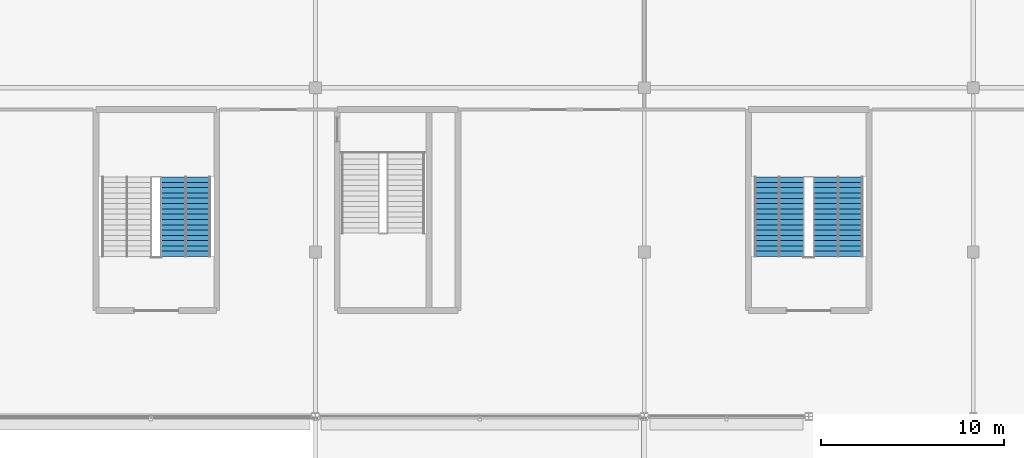
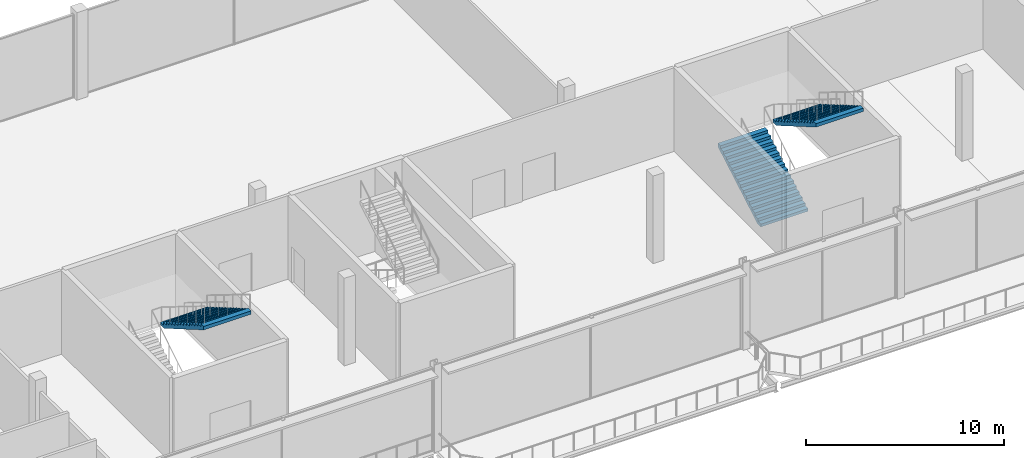
# One storey, part 87 of 113: 3 stair flights, 2 elements without a shape of their own.
"""IFC4 building model written with IfcOpenShell, lengths in metres."""

from ifc_helpers import new_model, si_unit, direction, frame, origin, place, context, subcontext, project, spatial, polygons, material, type_object, element, aggregate, save


model = new_model("IFC4")

# Units and contexts
model_context = context("Model", 3, precision=1e-05, world=origin(), true_north=direction((0.0, 1.0)))
body_context = subcontext(model_context, "Body", "Model", "MODEL_VIEW")
ifc_project = project(units=[si_unit("LENGTHUNIT", "METRE"), si_unit("AREAUNIT", "SQUARE_METRE"), si_unit("VOLUMEUNIT", "CUBIC_METRE"), si_unit("PLANEANGLEUNIT", "RADIAN"), si_unit("MASSUNIT", "GRAM", prefix="KILO")], contexts=[model_context])

# Site, building, storey
site_placement = place(None, origin())
site = spatial("IfcSite", under=ifc_project, at=site_placement, CompositionType="ELEMENT")
building_placement = place(site_placement, origin())
building = spatial("IfcBuilding", under=site, at=building_placement, Name="Kisiwana Market Hall", CompositionType="ELEMENT")
storey_placement = place(building_placement, frame((0.0, 0.0, 6.0)))
storey = spatial("IfcBuildingStorey", under=building, at=storey_placement, Name="L01", CompositionType="ELEMENT", Elevation=6.0)

# Stair, stair flight
ifc_material_1 = material(Name="Concrete C32/40", Category="concrete")
stair_type = type_object("IfcStairType", Name="ST-ESC-5400", PredefinedType="TWO_STRAIGHT_RUN_STAIR", material=ifc_material_1)
stair_1_placement = place(storey_placement, origin())
stair_1 = element("IfcStair", 1, at=stair_1_placement, inside=storey, type_object=stair_type, Name="Escape stair ST-N3-L01", PredefinedType="TWO_STRAIGHT_RUN_STAIR")
ifc_material_2 = material(Name="Concrete C32/40", Category="concrete")
stair_flight_type = type_object("IfcStairFlightType", Name="SF-ESC-5400", PredefinedType="STRAIGHT", material=ifc_material_2)
stair_flight_1_placement = place(storey_placement, frame((55.909912109375, 97.110107421875, 2.699951171875), z_axis=(0.0, 0.0, 1.0), x_axis=(0.0, -1.0, 0.0)))
stair_flight_1 = element("IfcStairFlight", 2, at=stair_flight_1_placement, type_object=stair_flight_type, Name="ST-N3-L01 flight 2", NumberOfRisers=16, NumberOfTreads=15, PredefinedType="STRAIGHT", RiserHeight=0.16875, TreadLength=0.29, context=body_context, shape_type="Tessellation", body=[
    polygons([(0.0, -1.380127, 0.0), (0.0, -0.690125, 0.0), (0.0, -0.000122, 0.0), (0.0, 0.68988, 0.0), (0.0, 1.379883, 0.0), (0.0, -1.380127, 0.168701), (0.0, -0.690125, 0.168701), (0.0, -0.000122, 0.168701), (0.0, 0.68988, 0.168701), (0.0, 1.379883, 0.168701), (0.290039, -1.380127, 0.168701), (0.290039, -0.690125, 0.168701), (0.290039, -0.000122, 0.168701), (0.290039, 0.68988, 0.168701), (0.290039, 1.379883, 0.168701), (0.290039, -1.380127, 0.337402), (0.290039, -0.690125, 0.337402), (0.290039, -0.000122, 0.337402), (0.290039, 0.68988, 0.337402), (0.290039, 1.379883, 0.337402), (0.580078, -1.380127, 0.337402), (0.580078, -0.690125, 0.337402), (0.580078, -0.000122, 0.337402), (0.580078, 0.68988, 0.337402), (0.580078, 1.379883, 0.337402), (0.580078, -1.380127, 0.506348), (0.580078, -0.690125, 0.506348), (0.580078, -0.000122, 0.506348), (0.580078, 0.68988, 0.506348), (0.580078, 1.379883, 0.506348), (0.870117, -1.380127, 0.506348), (0.870117, -0.690125, 0.506348), (0.870117, -0.000122, 0.506348), (0.870117, 0.68988, 0.506348), (0.870117, 1.379883, 0.506348), (0.870117, -1.380127, 0.675049), (0.870117, -0.690125, 0.675049), (0.870117, -0.000122, 0.675049), (0.870117, 0.68988, 0.675049), (0.870117, 1.379883, 0.675049), (1.159912, -1.380127, 0.675049), (1.159912, -0.690125, 0.675049), (1.159912, -0.000122, 0.675049), (1.159912, 0.68988, 0.675049), (1.159912, 1.379883, 0.675049), (1.159912, -1.380127, 0.84375), (1.159912, -0.690125, 0.84375), (1.159912, -0.000122, 0.84375), (1.159912, 0.68988, 0.84375), (1.159912, 1.379883, 0.84375), (1.449951, -1.380127, 0.84375), (1.449951, -0.690125, 0.84375), (1.449951, -0.000122, 0.84375), (1.449951, 0.68988, 0.84375), (1.449951, 1.379883, 0.84375), (1.449951, -1.380127, 1.012451), (1.449951, -0.690125, 1.012451), (1.449951, -0.000122, 1.012451), (1.449951, 0.68988, 1.012451), (1.449951, 1.379883, 1.012451), (1.73999, -1.380127, 1.012451), (1.73999, -0.690125, 1.012451), (1.73999, -0.000122, 1.012451), (1.73999, 0.68988, 1.012451), (1.73999, 1.379883, 1.012451), (1.73999, -1.380127, 1.181152), (1.73999, -0.690125, 1.181152), (1.73999, -0.000122, 1.181152), (1.73999, 0.68988, 1.181152), (1.73999, 1.379883, 1.181152), (2.030029, -1.380127, 1.181152), (2.030029, -0.690125, 1.181152), (2.030029, -0.000122, 1.181152), (2.030029, 0.68988, 1.181152), (2.030029, 1.379883, 1.181152), (2.030029, -1.380127, 1.350098), (2.030029, -0.690125, 1.350098), (2.030029, -0.000122, 1.350098), (2.030029, 0.68988, 1.350098), (2.030029, 1.379883, 1.350098), (2.320068, -1.380127, 1.350098), (2.320068, -0.690125, 1.350098), (2.320068, -0.000122, 1.350098), (2.320068, 0.68988, 1.350098), (2.320068, 1.379883, 1.350098), (2.320068, -1.380127, 1.518799), (2.320068, -0.690125, 1.518799), (2.320068, -0.000122, 1.518799), (2.320068, 0.68988, 1.518799), (2.320068, 1.379883, 1.518799), (2.610107, -1.380127, 1.518799), (2.610107, -0.690125, 1.518799), (2.610107, -0.000122, 1.518799), (2.610107, 0.68988, 1.518799), (2.610107, 1.379883, 1.518799), (2.610107, -1.380127, 1.6875), (2.610107, -0.690125, 1.6875), (2.610107, -0.000122, 1.6875), (2.610107, 0.68988, 1.6875), (2.610107, 1.379883, 1.6875), (2.899902, -1.380127, 1.6875), (2.899902, -0.690125, 1.6875), (2.899902, -0.000122, 1.6875), (2.899902, 0.68988, 1.6875), (2.899902, 1.379883, 1.6875), (2.899902, -1.380127, 1.856201), (2.899902, -0.690125, 1.856201), (2.899902, -0.000122, 1.856201), (2.899902, 0.68988, 1.856201), (2.899902, 1.379883, 1.856201), (3.189941, -1.380127, 1.856201), (3.189941, -0.690125, 1.856201), (3.189941, -0.000122, 1.856201), (3.189941, 0.68988, 1.856201), (3.189941, 1.379883, 1.856201), (3.189941, -1.380127, 2.024902), (3.189941, -0.690125, 2.024902), (3.189941, -0.000122, 2.024902), (3.189941, 0.68988, 2.024902), (3.189941, 1.379883, 2.024902), (3.47998, -1.380127, 2.024902), (3.47998, -0.690125, 2.024902), (3.47998, -0.000122, 2.024902), (3.47998, 0.68988, 2.024902), (3.47998, 1.379883, 2.024902), (3.47998, -1.380127, 2.193848), (3.47998, -0.690125, 2.193848), (3.47998, -0.000122, 2.193848), (3.47998, 0.68988, 2.193848), (3.47998, 1.379883, 2.193848), (3.77002, -1.380127, 2.193848), (3.77002, -0.690125, 2.193848), (3.77002, -0.000122, 2.193848), (3.77002, 0.68988, 2.193848), (3.77002, 1.379883, 2.193848), (3.77002, -1.380127, 2.362549), (3.77002, -0.690125, 2.362549), (3.77002, -0.000122, 2.362549), (3.77002, 0.68988, 2.362549), (3.77002, 1.379883, 2.362549), (4.060059, -1.380127, 2.362549), (4.060059, -0.690125, 2.362549), (4.060059, -0.000122, 2.362549), (4.060059, 0.68988, 2.362549), (4.060059, 1.379883, 2.362549), (4.060059, -1.380127, 2.53125), (4.060059, -0.690125, 2.53125), (4.060059, -0.000122, 2.53125), (4.060059, 0.68988, 2.53125), (4.060059, 1.379883, 2.53125), (4.350098, -1.380127, 2.53125), (4.350098, -0.690125, 2.53125), (4.350098, -0.000122, 2.53125), (4.350098, 0.68988, 2.53125), (4.350098, 1.379883, 2.53125), (4.350098, -1.380127, 2.322998), (4.350098, -0.690125, 2.322998), (4.350098, -0.000122, 2.322998), (4.350098, 0.68988, 2.322998), (4.350098, 1.379883, 2.322998), (0.357666, -1.380127, 0.0), (0.357666, -0.690125, 0.0), (0.357666, -0.000122, 0.0), (0.357666, 0.68988, 0.0), (0.357666, 1.379883, 0.0)], [[[1, 6, 7, 2]], [[2, 7, 8, 3]], [[3, 8, 9, 4]], [[4, 9, 10, 5]], [[6, 11, 12, 7]], [[7, 12, 13, 8]], [[8, 13, 14, 9]], [[9, 14, 15, 10]], [[11, 16, 17, 12]], [[12, 17, 18, 13]], [[13, 18, 19, 14]], [[14, 19, 20, 15]], [[16, 21, 22, 17]], [[17, 22, 23, 18]], [[18, 23, 24, 19]], [[19, 24, 25, 20]], [[21, 26, 27, 22]], [[22, 27, 28, 23]], [[23, 28, 29, 24]], [[24, 29, 30, 25]], [[26, 31, 32, 27]], [[27, 32, 33, 28]], [[28, 33, 34, 29]], [[29, 34, 35, 30]], [[31, 36, 37, 32]], [[32, 37, 38, 33]], [[33, 38, 39, 34]], [[34, 39, 40, 35]], [[36, 41, 42, 37]], [[37, 42, 43, 38]], [[38, 43, 44, 39]], [[39, 44, 45, 40]], [[41, 46, 47, 42]], [[42, 47, 48, 43]], [[43, 48, 49, 44]], [[44, 49, 50, 45]], [[46, 51, 52, 47]], [[47, 52, 53, 48]], [[48, 53, 54, 49]], [[49, 54, 55, 50]], [[51, 56, 57, 52]], [[52, 57, 58, 53]], [[53, 58, 59, 54]], [[54, 59, 60, 55]], [[56, 61, 62, 57]], [[57, 62, 63, 58]], [[58, 63, 64, 59]], [[59, 64, 65, 60]], [[61, 66, 67, 62]], [[62, 67, 68, 63]], [[63, 68, 69, 64]], [[64, 69, 70, 65]], [[66, 71, 72, 67]], [[67, 72, 73, 68]], [[68, 73, 74, 69]], [[69, 74, 75, 70]], [[71, 76, 77, 72]], [[72, 77, 78, 73]], [[73, 78, 79, 74]], [[74, 79, 80, 75]], [[76, 81, 82, 77]], [[77, 82, 83, 78]], [[78, 83, 84, 79]], [[79, 84, 85, 80]], [[81, 86, 87, 82]], [[82, 87, 88, 83]], [[83, 88, 89, 84]], [[84, 89, 90, 85]], [[86, 91, 92, 87]], [[87, 92, 93, 88]], [[88, 93, 94, 89]], [[89, 94, 95, 90]], [[91, 96, 97, 92]], [[92, 97, 98, 93]], [[93, 98, 99, 94]], [[94, 99, 100, 95]], [[96, 101, 102, 97]], [[97, 102, 103, 98]], [[98, 103, 104, 99]], [[99, 104, 105, 100]], [[101, 106, 107, 102]], [[102, 107, 108, 103]], [[103, 108, 109, 104]], [[104, 109, 110, 105]], [[106, 111, 112, 107]], [[107, 112, 113, 108]], [[108, 113, 114, 109]], [[109, 114, 115, 110]], [[111, 116, 117, 112]], [[112, 117, 118, 113]], [[113, 118, 119, 114]], [[114, 119, 120, 115]], [[116, 121, 122, 117]], [[117, 122, 123, 118]], [[118, 123, 124, 119]], [[119, 124, 125, 120]], [[121, 126, 127, 122]], [[122, 127, 128, 123]], [[123, 128, 129, 124]], [[124, 129, 130, 125]], [[126, 131, 132, 127]], [[127, 132, 133, 128]], [[128, 133, 134, 129]], [[129, 134, 135, 130]], [[131, 136, 137, 132]], [[132, 137, 138, 133]], [[133, 138, 139, 134]], [[134, 139, 140, 135]], [[136, 141, 142, 137]], [[137, 142, 143, 138]], [[138, 143, 144, 139]], [[139, 144, 145, 140]], [[141, 146, 147, 142]], [[142, 147, 148, 143]], [[143, 148, 149, 144]], [[144, 149, 150, 145]], [[146, 151, 152, 147]], [[147, 152, 153, 148]], [[148, 153, 154, 149]], [[149, 154, 155, 150]], [[151, 156, 157, 152]], [[152, 157, 158, 153]], [[153, 158, 159, 154]], [[154, 159, 160, 155]], [[156, 161, 162, 157]], [[157, 162, 163, 158]], [[158, 163, 164, 159]], [[159, 164, 165, 160]], [[161, 1, 2, 162]], [[162, 2, 3, 163]], [[163, 3, 4, 164]], [[164, 4, 5, 165]], [[161, 156, 151, 146, 141, 136, 131, 126, 121, 116, 111, 106, 101, 96, 91, 86, 81, 76, 71, 66, 61, 56, 51, 46, 41, 36, 31, 26, 21, 16, 11, 6, 1]], [[5, 10, 15, 20, 25, 30, 35, 40, 45, 50, 55, 60, 65, 70, 75, 80, 85, 90, 95, 100, 105, 110, 115, 120, 125, 130, 135, 140, 145, 150, 155, 160, 165]]], closed=True),
])
aggregate(stair_1, [stair_flight_1])

# Stair, stair flights
stair_2_placement = place(storey_placement, origin())
stair_2 = element("IfcStair", 3, at=stair_2_placement, inside=storey, type_object=stair_type, Name="Escape stair ST-N4-L01", PredefinedType="TWO_STRAIGHT_RUN_STAIR")
stair_flight_2_placement = place(storey_placement, frame((88.389892578125, 92.760009765625, 0.0), z_axis=(0.0, 0.0, 1.0), x_axis=(0.0, 1.0, 0.0)))
stair_flight_2 = element("IfcStairFlight", 4, at=stair_flight_2_placement, type_object=stair_flight_type, Name="ST-N4-L01 flight 1", NumberOfRisers=16, NumberOfTreads=15, PredefinedType="STRAIGHT", RiserHeight=0.16875, TreadLength=0.29, context=body_context, shape_type="Tessellation", body=[
    polygons([(0.0, -1.380127, 0.0), (0.0, -0.690125, 0.0), (0.0, -0.000122, 0.0), (0.0, 0.68988, 0.0), (0.0, 1.379883, 0.0), (0.0, -1.380127, 0.168701), (0.0, -0.690125, 0.168701), (0.0, -0.000122, 0.168701), (0.0, 0.68988, 0.168701), (0.0, 1.379883, 0.168701), (0.290039, -1.380127, 0.168701), (0.290039, -0.690125, 0.168701), (0.290039, -0.000122, 0.168701), (0.290039, 0.68988, 0.168701), (0.290039, 1.379883, 0.168701), (0.290039, -1.380127, 0.337402), (0.290039, -0.690125, 0.337402), (0.290039, -0.000122, 0.337402), (0.290039, 0.68988, 0.337402), (0.290039, 1.379883, 0.337402), (0.580078, -1.380127, 0.337402), (0.580078, -0.690125, 0.337402), (0.580078, -0.000122, 0.337402), (0.580078, 0.68988, 0.337402), (0.580078, 1.379883, 0.337402), (0.580078, -1.380127, 0.506348), (0.580078, -0.690125, 0.506348), (0.580078, -0.000122, 0.506348), (0.580078, 0.68988, 0.506348), (0.580078, 1.379883, 0.506348), (0.870117, -1.380127, 0.506348), (0.870117, -0.690125, 0.506348), (0.870117, -0.000122, 0.506348), (0.870117, 0.68988, 0.506348), (0.870117, 1.379883, 0.506348), (0.870117, -1.380127, 0.675049), (0.870117, -0.690125, 0.675049), (0.870117, -0.000122, 0.675049), (0.870117, 0.68988, 0.675049), (0.870117, 1.379883, 0.675049), (1.159912, -1.380127, 0.675049), (1.159912, -0.690125, 0.675049), (1.159912, -0.000122, 0.675049), (1.159912, 0.68988, 0.675049), (1.159912, 1.379883, 0.675049), (1.159912, -1.380127, 0.84375), (1.159912, -0.690125, 0.84375), (1.159912, -0.000122, 0.84375), (1.159912, 0.68988, 0.84375), (1.159912, 1.379883, 0.84375), (1.449951, -1.380127, 0.84375), (1.449951, -0.690125, 0.84375), (1.449951, -0.000122, 0.84375), (1.449951, 0.68988, 0.84375), (1.449951, 1.379883, 0.84375), (1.449951, -1.380127, 1.012451), (1.449951, -0.690125, 1.012451), (1.449951, -0.000122, 1.012451), (1.449951, 0.68988, 1.012451), (1.449951, 1.379883, 1.012451), (1.73999, -1.380127, 1.012451), (1.73999, -0.690125, 1.012451), (1.73999, -0.000122, 1.012451), (1.73999, 0.68988, 1.012451), (1.73999, 1.379883, 1.012451), (1.73999, -1.380127, 1.181152), (1.73999, -0.690125, 1.181152), (1.73999, -0.000122, 1.181152), (1.73999, 0.68988, 1.181152), (1.73999, 1.379883, 1.181152), (2.030029, -1.380127, 1.181152), (2.030029, -0.690125, 1.181152), (2.030029, -0.000122, 1.181152), (2.030029, 0.68988, 1.181152), (2.030029, 1.379883, 1.181152), (2.030029, -1.380127, 1.350098), (2.030029, -0.690125, 1.350098), (2.030029, -0.000122, 1.350098), (2.030029, 0.68988, 1.350098), (2.030029, 1.379883, 1.350098), (2.320068, -1.380127, 1.350098), (2.320068, -0.690125, 1.350098), (2.320068, -0.000122, 1.350098), (2.320068, 0.68988, 1.350098), (2.320068, 1.379883, 1.350098), (2.320068, -1.380127, 1.518799), (2.320068, -0.690125, 1.518799), (2.320068, -0.000122, 1.518799), (2.320068, 0.68988, 1.518799), (2.320068, 1.379883, 1.518799), (2.610107, -1.380127, 1.518799), (2.610107, -0.690125, 1.518799), (2.610107, -0.000122, 1.518799), (2.610107, 0.68988, 1.518799), (2.610107, 1.379883, 1.518799), (2.610107, -1.380127, 1.6875), (2.610107, -0.690125, 1.6875), (2.610107, -0.000122, 1.6875), (2.610107, 0.68988, 1.6875), (2.610107, 1.379883, 1.6875), (2.899902, -1.380127, 1.6875), (2.899902, -0.690125, 1.6875), (2.899902, -0.000122, 1.6875), (2.899902, 0.68988, 1.6875), (2.899902, 1.379883, 1.6875), (2.899902, -1.380127, 1.856201), (2.899902, -0.690125, 1.856201), (2.899902, -0.000122, 1.856201), (2.899902, 0.68988, 1.856201), (2.899902, 1.379883, 1.856201), (3.189941, -1.380127, 1.856201), (3.189941, -0.690125, 1.856201), (3.189941, -0.000122, 1.856201), (3.189941, 0.68988, 1.856201), (3.189941, 1.379883, 1.856201), (3.189941, -1.380127, 2.024902), (3.189941, -0.690125, 2.024902), (3.189941, -0.000122, 2.024902), (3.189941, 0.68988, 2.024902), (3.189941, 1.379883, 2.024902), (3.47998, -1.380127, 2.024902), (3.47998, -0.690125, 2.024902), (3.47998, -0.000122, 2.024902), (3.47998, 0.68988, 2.024902), (3.47998, 1.379883, 2.024902), (3.47998, -1.380127, 2.193848), (3.47998, -0.690125, 2.193848), (3.47998, -0.000122, 2.193848), (3.47998, 0.68988, 2.193848), (3.47998, 1.379883, 2.193848), (3.77002, -1.380127, 2.193848), (3.77002, -0.690125, 2.193848), (3.77002, -0.000122, 2.193848), (3.77002, 0.68988, 2.193848), (3.77002, 1.379883, 2.193848), (3.77002, -1.380127, 2.362549), (3.77002, -0.690125, 2.362549), (3.77002, -0.000122, 2.362549), (3.77002, 0.68988, 2.362549), (3.77002, 1.379883, 2.362549), (4.060059, -1.380127, 2.362549), (4.060059, -0.690125, 2.362549), (4.060059, -0.000122, 2.362549), (4.060059, 0.68988, 2.362549), (4.060059, 1.379883, 2.362549), (4.060059, -1.380127, 2.53125), (4.060059, -0.690125, 2.53125), (4.060059, -0.000122, 2.53125), (4.060059, 0.68988, 2.53125), (4.060059, 1.379883, 2.53125), (4.350098, -1.380127, 2.53125), (4.350098, -0.690125, 2.53125), (4.350098, -0.000122, 2.53125), (4.350098, 0.68988, 2.53125), (4.350098, 1.379883, 2.53125), (4.350098, -1.380127, 2.322998), (4.350098, -0.690125, 2.322998), (4.350098, -0.000122, 2.322998), (4.350098, 0.68988, 2.322998), (4.350098, 1.379883, 2.322998), (0.357666, -1.380127, 0.0), (0.357666, -0.690125, 0.0), (0.357666, -0.000122, 0.0), (0.357666, 0.68988, 0.0), (0.357666, 1.379883, 0.0)], [[[1, 6, 7, 2]], [[2, 7, 8, 3]], [[3, 8, 9, 4]], [[4, 9, 10, 5]], [[6, 11, 12, 7]], [[7, 12, 13, 8]], [[8, 13, 14, 9]], [[9, 14, 15, 10]], [[11, 16, 17, 12]], [[12, 17, 18, 13]], [[13, 18, 19, 14]], [[14, 19, 20, 15]], [[16, 21, 22, 17]], [[17, 22, 23, 18]], [[18, 23, 24, 19]], [[19, 24, 25, 20]], [[21, 26, 27, 22]], [[22, 27, 28, 23]], [[23, 28, 29, 24]], [[24, 29, 30, 25]], [[26, 31, 32, 27]], [[27, 32, 33, 28]], [[28, 33, 34, 29]], [[29, 34, 35, 30]], [[31, 36, 37, 32]], [[32, 37, 38, 33]], [[33, 38, 39, 34]], [[34, 39, 40, 35]], [[36, 41, 42, 37]], [[37, 42, 43, 38]], [[38, 43, 44, 39]], [[39, 44, 45, 40]], [[41, 46, 47, 42]], [[42, 47, 48, 43]], [[43, 48, 49, 44]], [[44, 49, 50, 45]], [[46, 51, 52, 47]], [[47, 52, 53, 48]], [[48, 53, 54, 49]], [[49, 54, 55, 50]], [[51, 56, 57, 52]], [[52, 57, 58, 53]], [[53, 58, 59, 54]], [[54, 59, 60, 55]], [[56, 61, 62, 57]], [[57, 62, 63, 58]], [[58, 63, 64, 59]], [[59, 64, 65, 60]], [[61, 66, 67, 62]], [[62, 67, 68, 63]], [[63, 68, 69, 64]], [[64, 69, 70, 65]], [[66, 71, 72, 67]], [[67, 72, 73, 68]], [[68, 73, 74, 69]], [[69, 74, 75, 70]], [[71, 76, 77, 72]], [[72, 77, 78, 73]], [[73, 78, 79, 74]], [[74, 79, 80, 75]], [[76, 81, 82, 77]], [[77, 82, 83, 78]], [[78, 83, 84, 79]], [[79, 84, 85, 80]], [[81, 86, 87, 82]], [[82, 87, 88, 83]], [[83, 88, 89, 84]], [[84, 89, 90, 85]], [[86, 91, 92, 87]], [[87, 92, 93, 88]], [[88, 93, 94, 89]], [[89, 94, 95, 90]], [[91, 96, 97, 92]], [[92, 97, 98, 93]], [[93, 98, 99, 94]], [[94, 99, 100, 95]], [[96, 101, 102, 97]], [[97, 102, 103, 98]], [[98, 103, 104, 99]], [[99, 104, 105, 100]], [[101, 106, 107, 102]], [[102, 107, 108, 103]], [[103, 108, 109, 104]], [[104, 109, 110, 105]], [[106, 111, 112, 107]], [[107, 112, 113, 108]], [[108, 113, 114, 109]], [[109, 114, 115, 110]], [[111, 116, 117, 112]], [[112, 117, 118, 113]], [[113, 118, 119, 114]], [[114, 119, 120, 115]], [[116, 121, 122, 117]], [[117, 122, 123, 118]], [[118, 123, 124, 119]], [[119, 124, 125, 120]], [[121, 126, 127, 122]], [[122, 127, 128, 123]], [[123, 128, 129, 124]], [[124, 129, 130, 125]], [[126, 131, 132, 127]], [[127, 132, 133, 128]], [[128, 133, 134, 129]], [[129, 134, 135, 130]], [[131, 136, 137, 132]], [[132, 137, 138, 133]], [[133, 138, 139, 134]], [[134, 139, 140, 135]], [[136, 141, 142, 137]], [[137, 142, 143, 138]], [[138, 143, 144, 139]], [[139, 144, 145, 140]], [[141, 146, 147, 142]], [[142, 147, 148, 143]], [[143, 148, 149, 144]], [[144, 149, 150, 145]], [[146, 151, 152, 147]], [[147, 152, 153, 148]], [[148, 153, 154, 149]], [[149, 154, 155, 150]], [[151, 156, 157, 152]], [[152, 157, 158, 153]], [[153, 158, 159, 154]], [[154, 159, 160, 155]], [[156, 161, 162, 157]], [[157, 162, 163, 158]], [[158, 163, 164, 159]], [[159, 164, 165, 160]], [[161, 1, 2, 162]], [[162, 2, 3, 163]], [[163, 3, 4, 164]], [[164, 4, 5, 165]], [[161, 156, 151, 146, 141, 136, 131, 126, 121, 116, 111, 106, 101, 96, 91, 86, 81, 76, 71, 66, 61, 56, 51, 46, 41, 36, 31, 26, 21, 16, 11, 6, 1]], [[5, 10, 15, 20, 25, 30, 35, 40, 45, 50, 55, 60, 65, 70, 75, 80, 85, 90, 95, 100, 105, 110, 115, 120, 125, 130, 135, 140, 145, 150, 155, 160, 165]]], closed=True),
])
stair_flight_3_placement = place(storey_placement, frame((91.610107421875, 97.110107421875, 2.699951171875), z_axis=(0.0, 0.0, 1.0), x_axis=(0.0, -1.0, 0.0)))
stair_flight_3 = element("IfcStairFlight", 5, at=stair_flight_3_placement, type_object=stair_flight_type, Name="ST-N4-L01 flight 2", NumberOfRisers=16, NumberOfTreads=15, PredefinedType="STRAIGHT", RiserHeight=0.16875, TreadLength=0.29, context=body_context, shape_type="Tessellation", body=[
    polygons([(0.0, -1.380127, 0.0), (0.0, -0.690125, 0.0), (0.0, -0.000122, 0.0), (0.0, 0.68988, 0.0), (0.0, 1.379883, 0.0), (0.0, -1.380127, 0.168701), (0.0, -0.690125, 0.168701), (0.0, -0.000122, 0.168701), (0.0, 0.68988, 0.168701), (0.0, 1.379883, 0.168701), (0.290039, -1.380127, 0.168701), (0.290039, -0.690125, 0.168701), (0.290039, -0.000122, 0.168701), (0.290039, 0.68988, 0.168701), (0.290039, 1.379883, 0.168701), (0.290039, -1.380127, 0.337402), (0.290039, -0.690125, 0.337402), (0.290039, -0.000122, 0.337402), (0.290039, 0.68988, 0.337402), (0.290039, 1.379883, 0.337402), (0.580078, -1.380127, 0.337402), (0.580078, -0.690125, 0.337402), (0.580078, -0.000122, 0.337402), (0.580078, 0.68988, 0.337402), (0.580078, 1.379883, 0.337402), (0.580078, -1.380127, 0.506348), (0.580078, -0.690125, 0.506348), (0.580078, -0.000122, 0.506348), (0.580078, 0.68988, 0.506348), (0.580078, 1.379883, 0.506348), (0.870117, -1.380127, 0.506348), (0.870117, -0.690125, 0.506348), (0.870117, -0.000122, 0.506348), (0.870117, 0.68988, 0.506348), (0.870117, 1.379883, 0.506348), (0.870117, -1.380127, 0.675049), (0.870117, -0.690125, 0.675049), (0.870117, -0.000122, 0.675049), (0.870117, 0.68988, 0.675049), (0.870117, 1.379883, 0.675049), (1.159912, -1.380127, 0.675049), (1.159912, -0.690125, 0.675049), (1.159912, -0.000122, 0.675049), (1.159912, 0.68988, 0.675049), (1.159912, 1.379883, 0.675049), (1.159912, -1.380127, 0.84375), (1.159912, -0.690125, 0.84375), (1.159912, -0.000122, 0.84375), (1.159912, 0.68988, 0.84375), (1.159912, 1.379883, 0.84375), (1.449951, -1.380127, 0.84375), (1.449951, -0.690125, 0.84375), (1.449951, -0.000122, 0.84375), (1.449951, 0.68988, 0.84375), (1.449951, 1.379883, 0.84375), (1.449951, -1.380127, 1.012451), (1.449951, -0.690125, 1.012451), (1.449951, -0.000122, 1.012451), (1.449951, 0.68988, 1.012451), (1.449951, 1.379883, 1.012451), (1.73999, -1.380127, 1.012451), (1.73999, -0.690125, 1.012451), (1.73999, -0.000122, 1.012451), (1.73999, 0.68988, 1.012451), (1.73999, 1.379883, 1.012451), (1.73999, -1.380127, 1.181152), (1.73999, -0.690125, 1.181152), (1.73999, -0.000122, 1.181152), (1.73999, 0.68988, 1.181152), (1.73999, 1.379883, 1.181152), (2.030029, -1.380127, 1.181152), (2.030029, -0.690125, 1.181152), (2.030029, -0.000122, 1.181152), (2.030029, 0.68988, 1.181152), (2.030029, 1.379883, 1.181152), (2.030029, -1.380127, 1.350098), (2.030029, -0.690125, 1.350098), (2.030029, -0.000122, 1.350098), (2.030029, 0.68988, 1.350098), (2.030029, 1.379883, 1.350098), (2.320068, -1.380127, 1.350098), (2.320068, -0.690125, 1.350098), (2.320068, -0.000122, 1.350098), (2.320068, 0.68988, 1.350098), (2.320068, 1.379883, 1.350098), (2.320068, -1.380127, 1.518799), (2.320068, -0.690125, 1.518799), (2.320068, -0.000122, 1.518799), (2.320068, 0.68988, 1.518799), (2.320068, 1.379883, 1.518799), (2.610107, -1.380127, 1.518799), (2.610107, -0.690125, 1.518799), (2.610107, -0.000122, 1.518799), (2.610107, 0.68988, 1.518799), (2.610107, 1.379883, 1.518799), (2.610107, -1.380127, 1.6875), (2.610107, -0.690125, 1.6875), (2.610107, -0.000122, 1.6875), (2.610107, 0.68988, 1.6875), (2.610107, 1.379883, 1.6875), (2.899902, -1.380127, 1.6875), (2.899902, -0.690125, 1.6875), (2.899902, -0.000122, 1.6875), (2.899902, 0.68988, 1.6875), (2.899902, 1.379883, 1.6875), (2.899902, -1.380127, 1.856201), (2.899902, -0.690125, 1.856201), (2.899902, -0.000122, 1.856201), (2.899902, 0.68988, 1.856201), (2.899902, 1.379883, 1.856201), (3.189941, -1.380127, 1.856201), (3.189941, -0.690125, 1.856201), (3.189941, -0.000122, 1.856201), (3.189941, 0.68988, 1.856201), (3.189941, 1.379883, 1.856201), (3.189941, -1.380127, 2.024902), (3.189941, -0.690125, 2.024902), (3.189941, -0.000122, 2.024902), (3.189941, 0.68988, 2.024902), (3.189941, 1.379883, 2.024902), (3.47998, -1.380127, 2.024902), (3.47998, -0.690125, 2.024902), (3.47998, -0.000122, 2.024902), (3.47998, 0.68988, 2.024902), (3.47998, 1.379883, 2.024902), (3.47998, -1.380127, 2.193848), (3.47998, -0.690125, 2.193848), (3.47998, -0.000122, 2.193848), (3.47998, 0.68988, 2.193848), (3.47998, 1.379883, 2.193848), (3.77002, -1.380127, 2.193848), (3.77002, -0.690125, 2.193848), (3.77002, -0.000122, 2.193848), (3.77002, 0.68988, 2.193848), (3.77002, 1.379883, 2.193848), (3.77002, -1.380127, 2.362549), (3.77002, -0.690125, 2.362549), (3.77002, -0.000122, 2.362549), (3.77002, 0.68988, 2.362549), (3.77002, 1.379883, 2.362549), (4.060059, -1.380127, 2.362549), (4.060059, -0.690125, 2.362549), (4.060059, -0.000122, 2.362549), (4.060059, 0.68988, 2.362549), (4.060059, 1.379883, 2.362549), (4.060059, -1.380127, 2.53125), (4.060059, -0.690125, 2.53125), (4.060059, -0.000122, 2.53125), (4.060059, 0.68988, 2.53125), (4.060059, 1.379883, 2.53125), (4.350098, -1.380127, 2.53125), (4.350098, -0.690125, 2.53125), (4.350098, -0.000122, 2.53125), (4.350098, 0.68988, 2.53125), (4.350098, 1.379883, 2.53125), (4.350098, -1.380127, 2.322998), (4.350098, -0.690125, 2.322998), (4.350098, -0.000122, 2.322998), (4.350098, 0.68988, 2.322998), (4.350098, 1.379883, 2.322998), (0.357666, -1.380127, 0.0), (0.357666, -0.690125, 0.0), (0.357666, -0.000122, 0.0), (0.357666, 0.68988, 0.0), (0.357666, 1.379883, 0.0)], [[[1, 6, 7, 2]], [[2, 7, 8, 3]], [[3, 8, 9, 4]], [[4, 9, 10, 5]], [[6, 11, 12, 7]], [[7, 12, 13, 8]], [[8, 13, 14, 9]], [[9, 14, 15, 10]], [[11, 16, 17, 12]], [[12, 17, 18, 13]], [[13, 18, 19, 14]], [[14, 19, 20, 15]], [[16, 21, 22, 17]], [[17, 22, 23, 18]], [[18, 23, 24, 19]], [[19, 24, 25, 20]], [[21, 26, 27, 22]], [[22, 27, 28, 23]], [[23, 28, 29, 24]], [[24, 29, 30, 25]], [[26, 31, 32, 27]], [[27, 32, 33, 28]], [[28, 33, 34, 29]], [[29, 34, 35, 30]], [[31, 36, 37, 32]], [[32, 37, 38, 33]], [[33, 38, 39, 34]], [[34, 39, 40, 35]], [[36, 41, 42, 37]], [[37, 42, 43, 38]], [[38, 43, 44, 39]], [[39, 44, 45, 40]], [[41, 46, 47, 42]], [[42, 47, 48, 43]], [[43, 48, 49, 44]], [[44, 49, 50, 45]], [[46, 51, 52, 47]], [[47, 52, 53, 48]], [[48, 53, 54, 49]], [[49, 54, 55, 50]], [[51, 56, 57, 52]], [[52, 57, 58, 53]], [[53, 58, 59, 54]], [[54, 59, 60, 55]], [[56, 61, 62, 57]], [[57, 62, 63, 58]], [[58, 63, 64, 59]], [[59, 64, 65, 60]], [[61, 66, 67, 62]], [[62, 67, 68, 63]], [[63, 68, 69, 64]], [[64, 69, 70, 65]], [[66, 71, 72, 67]], [[67, 72, 73, 68]], [[68, 73, 74, 69]], [[69, 74, 75, 70]], [[71, 76, 77, 72]], [[72, 77, 78, 73]], [[73, 78, 79, 74]], [[74, 79, 80, 75]], [[76, 81, 82, 77]], [[77, 82, 83, 78]], [[78, 83, 84, 79]], [[79, 84, 85, 80]], [[81, 86, 87, 82]], [[82, 87, 88, 83]], [[83, 88, 89, 84]], [[84, 89, 90, 85]], [[86, 91, 92, 87]], [[87, 92, 93, 88]], [[88, 93, 94, 89]], [[89, 94, 95, 90]], [[91, 96, 97, 92]], [[92, 97, 98, 93]], [[93, 98, 99, 94]], [[94, 99, 100, 95]], [[96, 101, 102, 97]], [[97, 102, 103, 98]], [[98, 103, 104, 99]], [[99, 104, 105, 100]], [[101, 106, 107, 102]], [[102, 107, 108, 103]], [[103, 108, 109, 104]], [[104, 109, 110, 105]], [[106, 111, 112, 107]], [[107, 112, 113, 108]], [[108, 113, 114, 109]], [[109, 114, 115, 110]], [[111, 116, 117, 112]], [[112, 117, 118, 113]], [[113, 118, 119, 114]], [[114, 119, 120, 115]], [[116, 121, 122, 117]], [[117, 122, 123, 118]], [[118, 123, 124, 119]], [[119, 124, 125, 120]], [[121, 126, 127, 122]], [[122, 127, 128, 123]], [[123, 128, 129, 124]], [[124, 129, 130, 125]], [[126, 131, 132, 127]], [[127, 132, 133, 128]], [[128, 133, 134, 129]], [[129, 134, 135, 130]], [[131, 136, 137, 132]], [[132, 137, 138, 133]], [[133, 138, 139, 134]], [[134, 139, 140, 135]], [[136, 141, 142, 137]], [[137, 142, 143, 138]], [[138, 143, 144, 139]], [[139, 144, 145, 140]], [[141, 146, 147, 142]], [[142, 147, 148, 143]], [[143, 148, 149, 144]], [[144, 149, 150, 145]], [[146, 151, 152, 147]], [[147, 152, 153, 148]], [[148, 153, 154, 149]], [[149, 154, 155, 150]], [[151, 156, 157, 152]], [[152, 157, 158, 153]], [[153, 158, 159, 154]], [[154, 159, 160, 155]], [[156, 161, 162, 157]], [[157, 162, 163, 158]], [[158, 163, 164, 159]], [[159, 164, 165, 160]], [[161, 1, 2, 162]], [[162, 2, 3, 163]], [[163, 3, 4, 164]], [[164, 4, 5, 165]], [[161, 156, 151, 146, 141, 136, 131, 126, 121, 116, 111, 106, 101, 96, 91, 86, 81, 76, 71, 66, 61, 56, 51, 46, 41, 36, 31, 26, 21, 16, 11, 6, 1]], [[5, 10, 15, 20, 25, 30, 35, 40, 45, 50, 55, 60, 65, 70, 75, 80, 85, 90, 95, 100, 105, 110, 115, 120, 125, 130, 135, 140, 145, 150, 155, 160, 165]]], closed=True),
])
aggregate(stair_2, [stair_flight_2, stair_flight_3])

save(model, "model.ifc")
